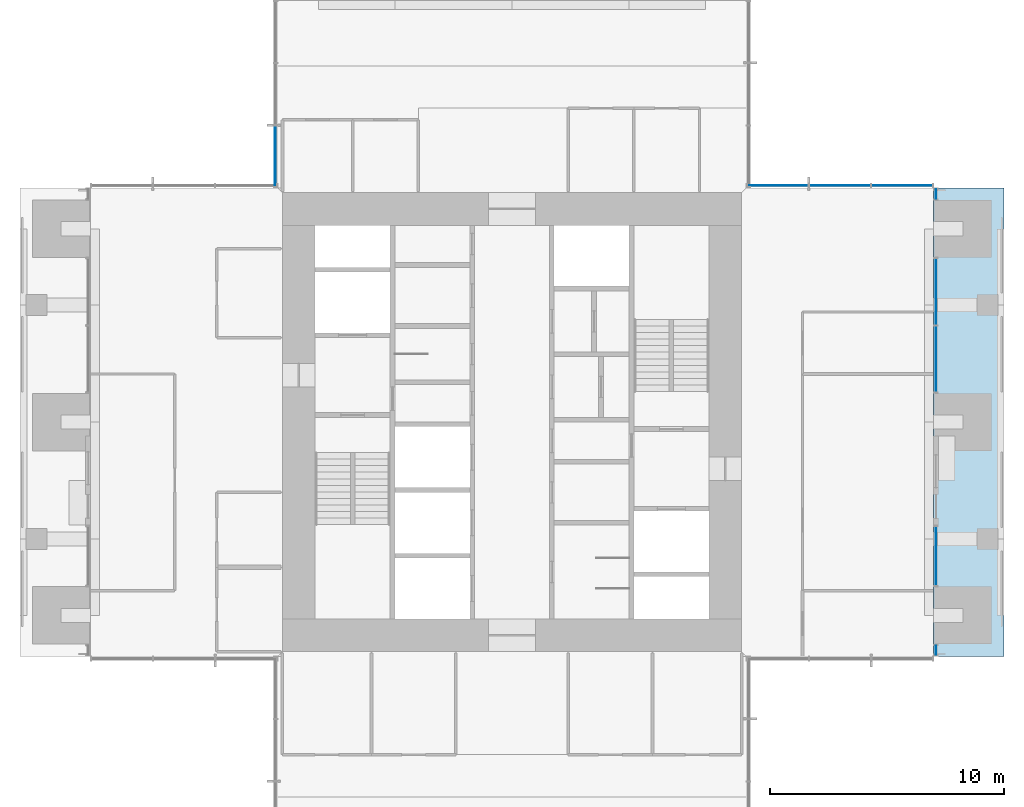
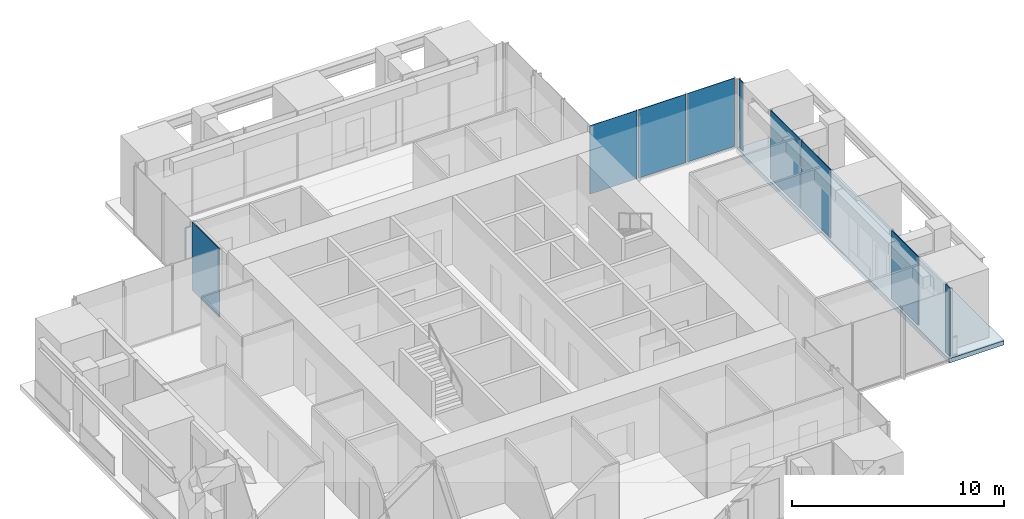
# One storey, part 10 of 17: 9 plates, 1 slab, 6 elements without a shape of their own.
"""IFC4 building model written with IfcOpenShell, lengths in metres."""

from ifc_helpers import new_model, si_unit, direction, frame, origin, origin_2d, place, context, subcontext, project, spatial, polyline, rectangle, outline, extrude, material, layer, layer_set, type_object, element, aggregate, save


model = new_model("IFC4")

# Units and contexts
model_context = context("Model", 3, precision=1e-05, world=origin(), true_north=direction((0.0, 1.0)))
body_context = subcontext(model_context, "Body", "Model", "MODEL_VIEW")
ifc_project = project(units=[si_unit("LENGTHUNIT", "METRE"), si_unit("AREAUNIT", "SQUARE_METRE"), si_unit("VOLUMEUNIT", "CUBIC_METRE"), si_unit("PLANEANGLEUNIT", "RADIAN"), si_unit("MASSUNIT", "GRAM", prefix="KILO")], contexts=[model_context])

# Site, building, storey
site_placement = place(None, origin())
site = spatial("IfcSite", under=ifc_project, at=site_placement, CompositionType="ELEMENT")
building_placement = place(site_placement, origin())
building = spatial("IfcBuilding", under=site, at=building_placement, Name="Svetlomir Tower", CompositionType="ELEMENT")
storey_placement = place(building_placement, frame((0.0, 0.0, 202.5)))
storey = spatial("IfcBuildingStorey", under=building, at=storey_placement, Name="L48", CompositionType="ELEMENT", Elevation=202.5)

# Curtain wall, plate
ifc_material_1 = material(Name="Bronze anodised aluminium curtain wall", Category="aluminium")
curtain_wall_type = type_object("IfcCurtainWallType", Name="CURTAIN WALL CW1 TOWER OFFICE", PredefinedType="NOTDEFINED", material=ifc_material_1)
curtain_wall_1_placement = place(storey_placement, origin())
curtain_wall_1 = element("IfcCurtainWall", 1, at=curtain_wall_1_placement, inside=storey, type_object=curtain_wall_type, Name="Curtain wall CW1 L48", PredefinedType="NOTDEFINED")
ifc_material_2 = material(Name="Tinted double glazed unit", Category="glass")
ifc_layer_1 = layer(ifc_material_2, 0.031982421875)
ifc_layer_set_1 = layer_set([ifc_layer_1], Name="Tinted double glazed unit")
plate_type = type_object("IfcPlateType", Name="CW1 GLAZED PANEL 32", PredefinedType="CURTAIN_PANEL", material=ifc_layer_set_1)
plate_1_placement = place(storey_placement, frame((39.10009765625, 11.262451171875, 0.06494140625), z_axis=(0.0, 0.0, 1.0), x_axis=(0.0, 1.0, 0.0)))
plate_1 = element("IfcPlate", 2, at=plate_1_placement, type_object=plate_type, Name="CW1 panel 1.1", PredefinedType="CURTAIN_PANEL", context=body_context, shape_type="SweptSolid", body=[
    extrude(rectangle(XDim=0.39501953125, YDim=0.031982421875, at=origin_2d()), origin(), (0.0, 0.0, 1.0), 3.93505859375),
])
aggregate(curtain_wall_1, [plate_1])

curtain_wall_2_placement = place(storey_placement, origin())
curtain_wall_2 = element("IfcCurtainWall", 3, at=curtain_wall_2_placement, inside=storey, type_object=curtain_wall_type, Name="Curtain wall CW1 L48", PredefinedType="NOTDEFINED")
plate_2_placement = place(storey_placement, frame((39.10009765625, 15.28759765625, 0.06494140625), z_axis=(0.0, 0.0, 1.0), x_axis=(0.0, 1.0, 0.0)))
plate_2 = element("IfcPlate", 4, at=plate_2_placement, type_object=plate_type, Name="CW1 panel 1.1", PredefinedType="CURTAIN_PANEL", context=body_context, shape_type="SweptSolid", body=[
    extrude(rectangle(XDim=2.4951171875, YDim=0.031982421875, at=origin_2d()), origin(), (0.0, 0.0, 1.0), 3.93505859375),
])
aggregate(curtain_wall_2, [plate_2])

# Curtain wall, plates
curtain_wall_3_placement = place(storey_placement, origin())
curtain_wall_3 = element("IfcCurtainWall", 5, at=curtain_wall_3_placement, inside=storey, type_object=curtain_wall_type, Name="Curtain wall CW1 L48", PredefinedType="NOTDEFINED")
plate_3_placement = place(storey_placement, frame((39.10009765625, 23.691162109375, 0.06494140625), z_axis=(0.0, 0.0, 1.0), x_axis=(0.0, 1.0, 0.0)))
plate_3 = element("IfcPlate", 6, at=plate_3_placement, type_object=plate_type, Name="CW1 panel 1.1", PredefinedType="CURTAIN_PANEL", context=body_context, shape_type="SweptSolid", body=[
    extrude(rectangle(XDim=2.802490234375, YDim=0.031982421875, at=origin_2d()), origin(), (0.0, 0.0, 1.0), 3.93505859375),
])
plate_4_placement = place(storey_placement, frame((39.10009765625, 26.558837890625, 0.06494140625), z_axis=(0.0, 0.0, 1.0), x_axis=(0.0, 1.0, 0.0)))
plate_4 = element("IfcPlate", 7, at=plate_4_placement, type_object=plate_type, Name="CW1 panel 2.1", PredefinedType="CURTAIN_PANEL", context=body_context, shape_type="SweptSolid", body=[
    extrude(rectangle(XDim=2.802490234375, YDim=0.031982421875, at=origin_2d()), origin(), (0.0, 0.0, 1.0), 3.93505859375),
])
aggregate(curtain_wall_3, [plate_3, plate_4])

# Curtain wall, plate
curtain_wall_4_placement = place(storey_placement, origin())
curtain_wall_4 = element("IfcCurtainWall", 8, at=curtain_wall_4_placement, inside=storey, type_object=curtain_wall_type, Name="Curtain wall CW1 L48", PredefinedType="NOTDEFINED")
plate_5_placement = place(storey_placement, frame((39.10009765625, 30.737548828125, 0.06494140625), z_axis=(0.0, 0.0, 1.0), x_axis=(0.0, 1.0, 0.0)))
plate_5 = element("IfcPlate", 9, at=plate_5_placement, type_object=plate_type, Name="CW1 panel 1.1", PredefinedType="CURTAIN_PANEL", context=body_context, shape_type="SweptSolid", body=[
    extrude(rectangle(XDim=0.39501953125, YDim=0.031982421875, at=origin_2d()), origin(), (0.0, 0.0, 1.0), 3.93505859375),
])
aggregate(curtain_wall_4, [plate_5])

# Curtain wall, plates
curtain_wall_5_placement = place(storey_placement, origin())
curtain_wall_5 = element("IfcCurtainWall", 10, at=curtain_wall_5_placement, inside=storey, type_object=curtain_wall_type, Name="Curtain wall CW1 L48", PredefinedType="NOTDEFINED")
plate_6_placement = place(storey_placement, frame((37.650390625, 31.10009765625, 0.06494140625), z_axis=(0.0, 0.0, 1.0), x_axis=(-1.0, 0.0, 0.0)))
plate_6 = element("IfcPlate", 11, at=plate_6_placement, type_object=plate_type, Name="CW1 panel 1.1", PredefinedType="CURTAIN_PANEL", context=body_context, shape_type="SweptSolid", body=[
    extrude(rectangle(XDim=2.569091796875, YDim=0.031982421875, at=origin_2d()), origin(), (0.0, 0.0, 1.0), 3.93505859375),
])
plate_7_placement = place(storey_placement, frame((35.0, 31.10009765625, 0.06494140625), z_axis=(0.0, 0.0, 1.0), x_axis=(-1.0, 0.0, 0.0)))
plate_7 = element("IfcPlate", 12, at=plate_7_placement, type_object=plate_type, Name="CW1 panel 2.1", PredefinedType="CURTAIN_PANEL", context=body_context, shape_type="SweptSolid", body=[
    extrude(rectangle(XDim=2.6015625, YDim=0.031982421875, at=origin_2d()), origin(), (0.0, 0.0, 1.0), 3.93505859375),
])
plate_8_placement = place(storey_placement, frame((32.349609375, 31.10009765625, 0.06494140625), z_axis=(0.0, 0.0, 1.0), x_axis=(-1.0, 0.0, 0.0)))
plate_8 = element("IfcPlate", 13, at=plate_8_placement, type_object=plate_type, Name="CW1 panel 3.1", PredefinedType="CURTAIN_PANEL", context=body_context, shape_type="SweptSolid", body=[
    extrude(rectangle(XDim=2.569091796875, YDim=0.031982421875, at=origin_2d()), origin(), (0.0, 0.0, 1.0), 3.93505859375),
])
aggregate(curtain_wall_5, [plate_6, plate_7, plate_8])

# Curtain wall, plate
curtain_wall_6_placement = place(storey_placement, origin())
curtain_wall_6 = element("IfcCurtainWall", 14, at=curtain_wall_6_placement, inside=storey, type_object=curtain_wall_type, Name="Curtain wall CW1 L48", PredefinedType="NOTDEFINED")
plate_9_placement = place(storey_placement, frame((10.89990234375, 32.349609375, 0.06494140625), z_axis=(0.0, 0.0, 1.0), x_axis=(0.0, -1.0, 0.0)))
plate_9 = element("IfcPlate", 15, at=plate_9_placement, type_object=plate_type, Name="CW1 panel 3.1", PredefinedType="CURTAIN_PANEL", context=body_context, shape_type="SweptSolid", body=[
    extrude(rectangle(XDim=2.569091796875, YDim=0.031982421875, at=origin_2d()), origin(), (0.0, 0.0, 1.0), 3.93505859375),
])
aggregate(curtain_wall_6, [plate_9])

# Slab
ifc_material_3 = material(Name="Concrete C60/75", Category="concrete")
ifc_layer_2 = layer(ifc_material_3, 0.25)
ifc_layer_set_2 = layer_set([ifc_layer_2], Name="Concrete C60/75")
slab_type = type_object("IfcSlabType", Name="PLANTED LOGGIA SLAB 250", PredefinedType="FLOOR", material=ifc_layer_set_2)
slab_placement = place(storey_placement, frame((0.0, 0.0, -0.25)))
element("IfcSlab", 16, at=slab_placement, inside=storey, type_object=slab_type, Name="L48 E planted loggia", PredefinedType="FLOOR", context=body_context, shape_type="SweptSolid", body=[
    extrude(outline(polyline([(39.0, 11.0), (42.0, 11.0), (42.0, 31.0), (39.0, 31.0), (39.0, 11.0)])), origin(), (0.0, 0.0, 1.0), 0.25),
])

save(model, "model.ifc")
